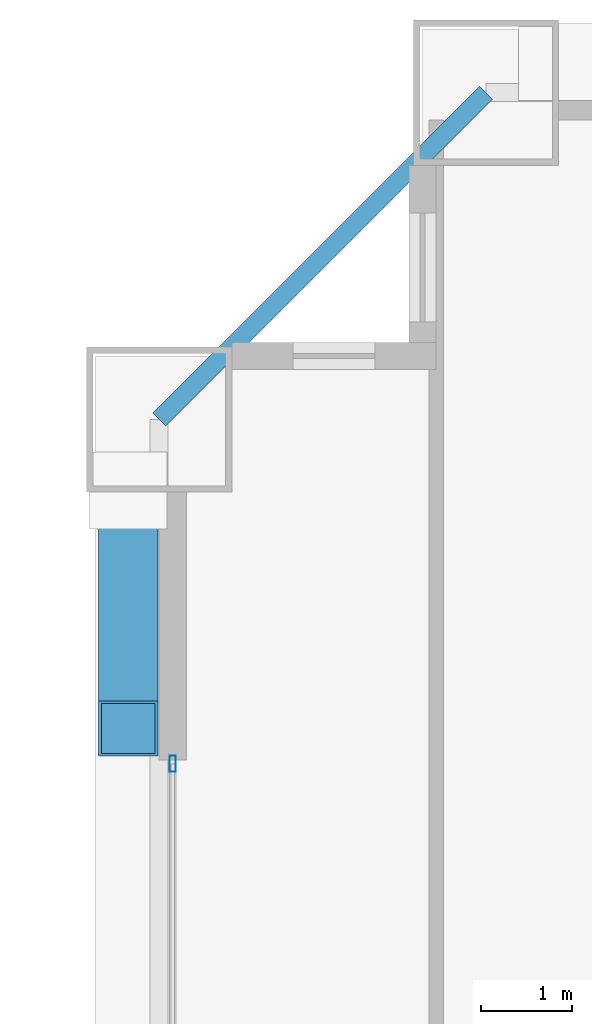
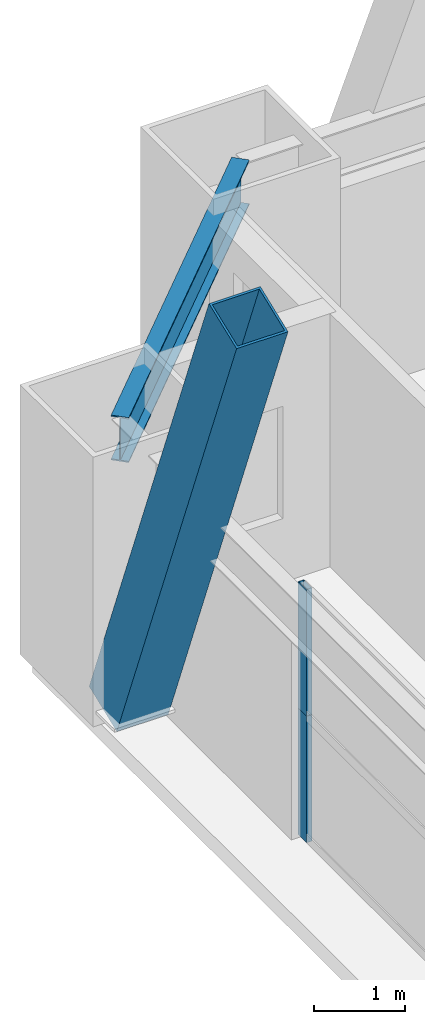
# One storey, part 24 of 42: 3 members, 1 beam, 1 element without a shape of its own.
"""IFC4 building model written with IfcOpenShell, lengths in metres."""

from ifc_helpers import new_model, si_unit, direction, frame, origin, origin_2d, place, context, subcontext, project, spatial, hollow_rectangle, i_section, extrude, source, transform, mapped, material, layer, layer_set, material_profile, profile_set, type_object, element, aggregate, save


model = new_model("IFC4")

# Units and contexts
model_context = context("Model", 3, precision=1e-05, world=origin(), true_north=direction((0.0, 1.0)))
body_context = subcontext(model_context, "Body", "Model", "MODEL_VIEW")
ifc_project = project(units=[si_unit("LENGTHUNIT", "METRE"), si_unit("AREAUNIT", "SQUARE_METRE"), si_unit("VOLUMEUNIT", "CUBIC_METRE"), si_unit("PLANEANGLEUNIT", "RADIAN"), si_unit("MASSUNIT", "GRAM", prefix="KILO"), si_unit("THERMODYNAMICTEMPERATUREUNIT", "KELVIN"), si_unit("POWERUNIT", "WATT")], contexts=[model_context])

# Site, building, storey
site_placement = place(None, origin())
site = spatial("IfcSite", under=ifc_project, at=site_placement, CompositionType="ELEMENT")
building_placement = place(site_placement, origin())
building = spatial("IfcBuilding", under=site, at=building_placement, Name="Yuzanri Waterfront Tower", CompositionType="ELEMENT")
storey_placement = place(building_placement, frame((0.0, 0.0, 145.199951171875)))
storey = spatial("IfcBuildingStorey", under=building, at=storey_placement, Name="L38", CompositionType="ELEMENT", Elevation=145.199951171875)

# Beam
ifc_material_1 = material(Name="Steel Q355B", Category="steel")
ifc_material_profile_1 = material_profile(ifc_material_1, i_section(OverallWidth=0.199951171875, OverallDepth=0.60009765625, WebThickness=0.010986328125, FlangeThickness=0.01708984375, at=origin_2d()), Name="HN 600x200x11x17")
ifc_profile_set_1 = profile_set([ifc_material_profile_1], Name="Steel Q355B")
beam_type = type_object("IfcBeamType", Name="Perimeter Spandrel Q355B HN 600x200", PredefinedType="SPANDREL", material=ifc_profile_set_1)
shared_shape_1 = source(origin(), body_context, "Body", "SweptSolid", [
    extrude(i_section(OverallWidth=0.199951171875, OverallDepth=0.60009765625, WebThickness=0.010986328125, FlangeThickness=0.01708984375, at=origin_2d()), origin(), (0.0, 0.0, 1.0), 5.091064453125),
])
beam_placement = place(storey_placement, frame((17.0, 49.39990234375, 3.080078125), z_axis=(-0.707130757816, -0.707082803744, 0.0), x_axis=(0.707082803744, -0.707130757816, 0.0)))
element("IfcBeam", 1, at=beam_placement, inside=storey, type_object=beam_type, Name="L38 Perimeter Spandrel N1-W3", PredefinedType="SPANDREL", context=body_context, shape_type="MappedRepresentation", body=[
    mapped(shared_shape_1, transform((0.0, 0.0, 0.0), scale=1.0)),
])

# Member
ifc_material_2 = material(Name="Steel Q420GJC", Category="steel")
ifc_material_profile_2 = material_profile(ifc_material_2, hollow_rectangle(XDim=0.64990234375, YDim=0.64990234375, WallThickness=0.028076171875, at=origin_2d()), Name="RHS 650x650x28")
ifc_profile_set_2 = profile_set([ifc_material_profile_2], Name="Steel Q420GJC")
member_type_1 = type_object("IfcMemberType", Name="Mega Brace Lower Q420GJC RHS 650x650x28", PredefinedType="BRACE", material=ifc_profile_set_2)
shared_shape_2 = source(origin(), body_context, "Body", "SweptSolid", [
    extrude(hollow_rectangle(XDim=0.64990234375, YDim=0.64990234375, WallThickness=0.028076171875, at=origin_2d()), origin(), (0.0, 0.0, 1.0), 7.1943359375),
])
member_1_placement = place(storey_placement, frame((13.06005859375, 45.02001953125, 0.179931640625), z_axis=(0.0, -0.364194614794, 0.931322866977), x_axis=(1.0, 0.0, 0.0)))
element("IfcMember", 2, at=member_1_placement, inside=storey, type_object=member_type_1, Name="L38-L39 Perimeter Mega-Brace W-R", PredefinedType="BRACE", context=body_context, shape_type="MappedRepresentation", body=[
    mapped(shared_shape_2, transform((0.0, 0.0, 0.0), scale=1.0)),
])

# Curtain wall, members
ifc_material_3 = material(Name="Anodized Architectural Bronze", Category="metal")
ifc_layer = layer(ifc_material_3, 0.159912109375)
ifc_layer_set = layer_set([ifc_layer], Name="Anodized Architectural Bronze")
curtain_wall_type = type_object("IfcCurtainWallType", Name="Anodized Bronze Hotel Upper-Tier Solar-Control Unitized Curtain Wall 7800", PredefinedType="NOTDEFINED", material=ifc_layer_set)
curtain_wall_placement = place(storey_placement, origin())
curtain_wall = element("IfcCurtainWall", 3, at=curtain_wall_placement, inside=storey, type_object=curtain_wall_type, Name="L38 Curtain Wall CW-L38-WR", PredefinedType="NOTDEFINED")
ifc_material_4 = material(Name="Anodized Architectural Bronze", Category="metal")
ifc_material_profile_3 = material_profile(ifc_material_4, hollow_rectangle(XDim=0.070068359375, YDim=0.179931640625, WallThickness=0.00390625, at=origin_2d()), Name="CWM 70x180")
ifc_profile_set_3 = profile_set([ifc_material_profile_3], Name="Anodized Architectural Bronze")
member_type_2 = type_object("IfcMemberType", Name="Anodized Bronze Standard Curtain-Wall Mullion 70x180", PredefinedType="MULLION", material=ifc_profile_set_3)
shared_shape_3 = source(origin(), body_context, "Body", "SweptSolid", [
    extrude(hollow_rectangle(XDim=0.070068359375, YDim=0.179931640625, WallThickness=0.00390625, at=origin_2d()), origin(), (0.0, 0.0, 1.0), 1.68798828125),
])
member_2_placement = place(storey_placement, frame((13.550048828125, 42.010009765625, 0.0), z_axis=(0.0, 0.0, 1.0), x_axis=(1.0, 0.0, 0.0)))
member_2 = element("IfcMember", 4, at=member_2_placement, type_object=member_type_2, Name="CW-L38-WR Lower Mullion 02", PredefinedType="MULLION", context=body_context, shape_type="MappedRepresentation", body=[
    mapped(shared_shape_3, transform((0.0, 0.0, 0.0), scale=1.0)),
])
member_3_placement = place(storey_placement, frame((13.550048828125, 42.010009765625, 1.692138671875), z_axis=(0.0, 0.0, 1.0), x_axis=(1.0, 0.0, 0.0)))
member_3 = element("IfcMember", 5, at=member_3_placement, type_object=member_type_2, Name="CW-L38-WR Upper Mullion 02", PredefinedType="MULLION", context=body_context, shape_type="MappedRepresentation", body=[
    mapped(shared_shape_3, transform((0.0, 0.0, 0.0), scale=1.0)),
])
aggregate(curtain_wall, [member_2, member_3])

save(model, "model.ifc")
